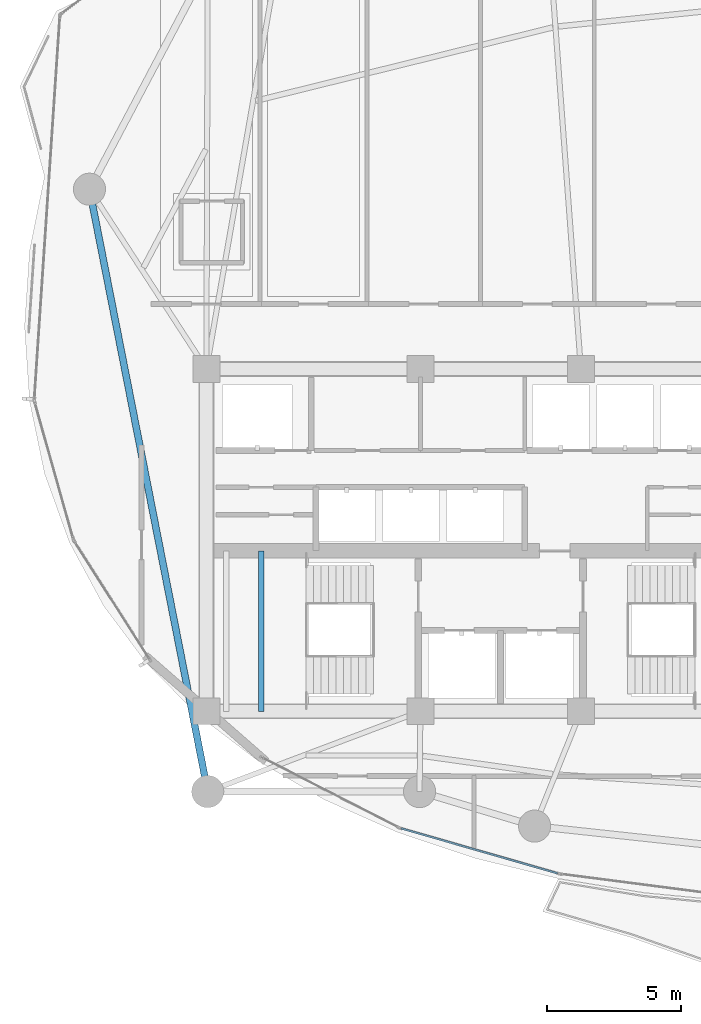
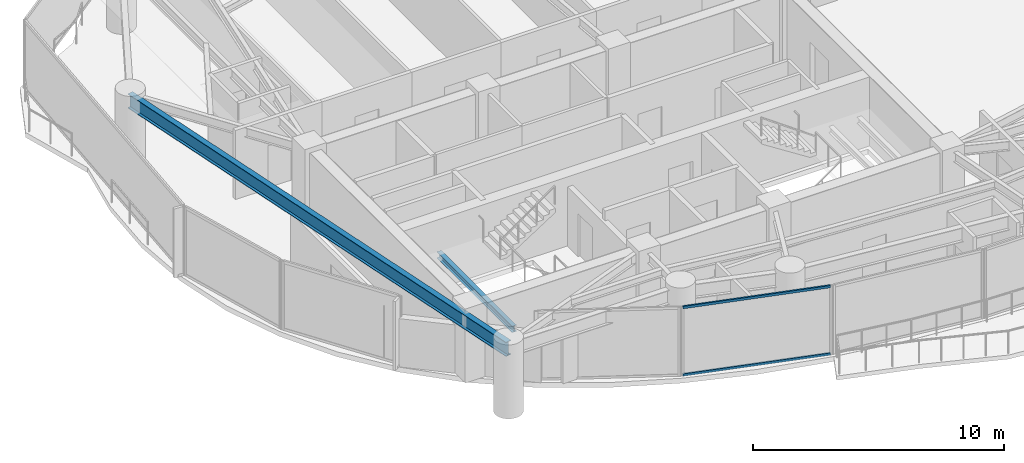
# One storey, part 4 of 30: 2 beams, 2 members, 1 element without a shape of its own.
"""IFC4 building model written with IfcOpenShell, lengths in metres."""

from ifc_helpers import new_model, si_unit, direction, frame, origin, origin_2d, place, context, subcontext, project, spatial, hollow_rectangle, i_section, extrude, material, layer, layer_set, material_profile, profile_set, type_object, element, aggregate, save


model = new_model("IFC4")

# Units and contexts
model_context = context("Model", 3, precision=1e-05, world=origin(), true_north=direction((0.0, 1.0)))
body_context = subcontext(model_context, "Body", "Model", "MODEL_VIEW")
ifc_project = project(units=[si_unit("LENGTHUNIT", "METRE"), si_unit("AREAUNIT", "SQUARE_METRE"), si_unit("VOLUMEUNIT", "CUBIC_METRE"), si_unit("PLANEANGLEUNIT", "RADIAN"), si_unit("MASSUNIT", "GRAM", prefix="KILO")], contexts=[model_context])

# Site, building, storey
site_placement = place(None, origin())
site = spatial("IfcSite", under=ifc_project, at=site_placement, CompositionType="ELEMENT")
building_placement = place(site_placement, origin())
building = spatial("IfcBuilding", under=site, at=building_placement, Name="Kazevale Care Tower and Concert Hall", CompositionType="ELEMENT")
storey_placement = place(building_placement, frame((0.0, 0.0, 113.39990234375)))
storey = spatial("IfcBuildingStorey", under=building, at=storey_placement, Name="L29", CompositionType="ELEMENT", Elevation=113.39990234375)

# Curtain wall, members
ifc_material_1 = material(Name="Aluminium 6063-T6 and Low-E Glass", Category="aluminium")
ifc_layer = layer(ifc_material_1, 0.179931640625)
ifc_layer_set = layer_set([ifc_layer], Name="Aluminium 6063-T6 and Low-E Glass")
curtain_wall_type = type_object("IfcCurtainWallType", Name="Sheltered Concave Balcony Curtain Wall CW-5", PredefinedType="NOTDEFINED", material=ifc_layer_set)
curtain_wall_placement = place(storey_placement, origin())
curtain_wall = element("IfcCurtainWall", 1, at=curtain_wall_placement, inside=storey, type_object=curtain_wall_type, Name="cw:L29:f08", PredefinedType="NOTDEFINED")
ifc_material_2 = material(Name="Aluminium 6063-T6", Category="aluminium")
ifc_material_profile_1 = material_profile(ifc_material_2, hollow_rectangle(XDim=0.074951171875, YDim=0.1201171875, WallThickness=0.00390625, at=origin_2d()), Name="ALU75x120x4")
ifc_profile_set_1 = profile_set([ifc_material_profile_1], Name="Aluminium 6063-T6")
member_type = type_object("IfcMemberType", Name="CW-5 Transom ALU75x120x4", PredefinedType="USERDEFINED", material=ifc_profile_set_1)
member_1_placement = place(storey_placement, frame((35.121826171875, 17.545654296875, 0.03759765625), z_axis=(-0.961067703236, 0.276312992451, 0.0), x_axis=(-0.276312992451, -0.961067703236, 0.0)))
member_1 = element("IfcMember", 2, at=member_1_placement, type_object=member_type, Name="CW-5 transom 1.1", ObjectType="TRANSOM", PredefinedType="USERDEFINED", context=body_context, shape_type="SweptSolid", body=[
    extrude(hollow_rectangle(XDim=0.074951171875, YDim=0.1201171875, WallThickness=0.00390625, at=origin_2d()), origin(), (0.0, 0.0, 1.0), 6.075439453125),
])
member_2_placement = place(storey_placement, frame((35.121826171875, 17.545654296875, 3.322509765625), z_axis=(-0.961067703236, 0.276312992451, 0.0), x_axis=(-0.276312992451, -0.961067703236, 0.0)))
member_2 = element("IfcMember", 3, at=member_2_placement, type_object=member_type, Name="CW-5 transom 1.2", ObjectType="TRANSOM", PredefinedType="USERDEFINED", context=body_context, shape_type="SweptSolid", body=[
    extrude(hollow_rectangle(XDim=0.074951171875, YDim=0.1201171875, WallThickness=0.00390625, at=origin_2d()), origin(), (0.0, 0.0, 1.0), 6.075439453125),
])
aggregate(curtain_wall, [member_1, member_2])

# Beams
ifc_material_3 = material(Name="Steel ASTM A572 Gr 50", Category="steel")
ifc_material_profile_2 = material_profile(ifc_material_3, i_section(OverallWidth=0.202880859375, OverallDepth=0.302978515625, WebThickness=0.007568359375, FlangeThickness=0.01318359375, at=origin_2d()), Name="W310x60")
ifc_profile_set_2 = profile_set([ifc_material_profile_2], Name="Steel ASTM A572 Gr 50")
beam_type_1 = type_object("IfcBeamType", Name="Stair & Balcony Trimmer W310x60", PredefinedType="BEAM", material=ifc_profile_set_2)
beam_1_placement = place(storey_placement, frame((24.050048828125, 23.60009765625, 1.448486328125), z_axis=(0.0, 1.0, 0.0), x_axis=(-1.0, 0.0, 0.0)))
element("IfcBeam", 4, at=beam_1_placement, inside=storey, type_object=beam_type_1, Name="beam:L29:sttrim:ST1b", PredefinedType="BEAM", context=body_context, shape_type="SweptSolid", body=[
    extrude(i_section(OverallWidth=0.202880859375, OverallDepth=0.302978515625, WebThickness=0.007568359375, FlangeThickness=0.01318359375, at=origin_2d()), origin(), (0.0, 0.0, 1.0), 6.0),
])
ifc_material_profile_3 = material_profile(ifc_material_3, i_section(OverallWidth=0.256103515625, OverallDepth=0.693115234375, WebThickness=0.014404296875, FlangeThickness=0.023681640625, at=origin_2d()), Name="W690x170")
ifc_profile_set_3 = profile_set([ifc_material_profile_3], Name="Steel ASTM A572 Gr 50")
beam_type_2 = type_object("IfcBeamType", Name="Waist Ring Beam W690x170", PredefinedType="BEAM", material=ifc_profile_set_3)
beam_2_placement = place(storey_placement, frame((17.6298828125, 43.1201171875, 3.013671875), z_axis=(0.192602267784, -0.9812769061, 0.0), x_axis=(0.9812769061, 0.192602267784, 0.0)))
element("IfcBeam", 5, at=beam_2_placement, inside=storey, type_object=beam_type_2, Name="beam:L29:ring:09", PredefinedType="BEAM", context=body_context, shape_type="SweptSolid", body=[
    extrude(i_section(OverallWidth=0.256103515625, OverallDepth=0.693115234375, WebThickness=0.014404296875, FlangeThickness=0.023681640625, at=origin_2d()), origin(), (0.0, 0.0, 1.0), 22.94970703125),
])

save(model, "model.ifc")
